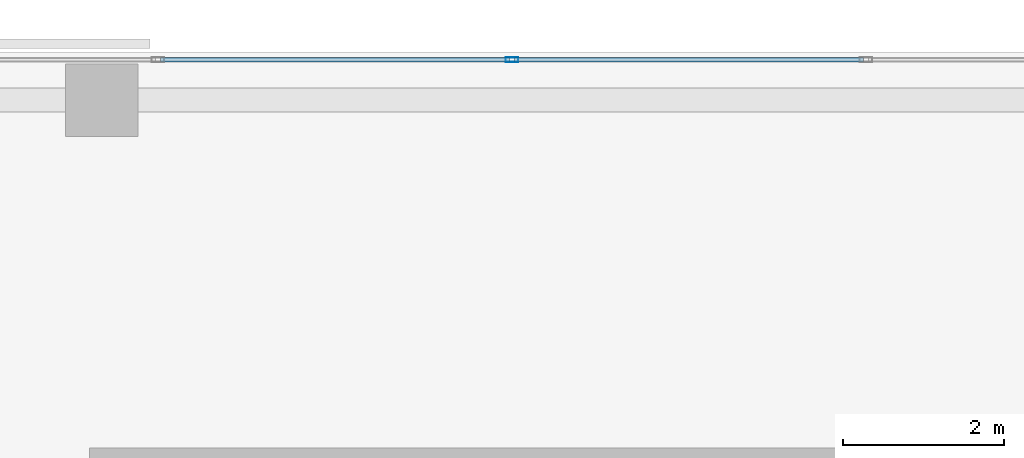
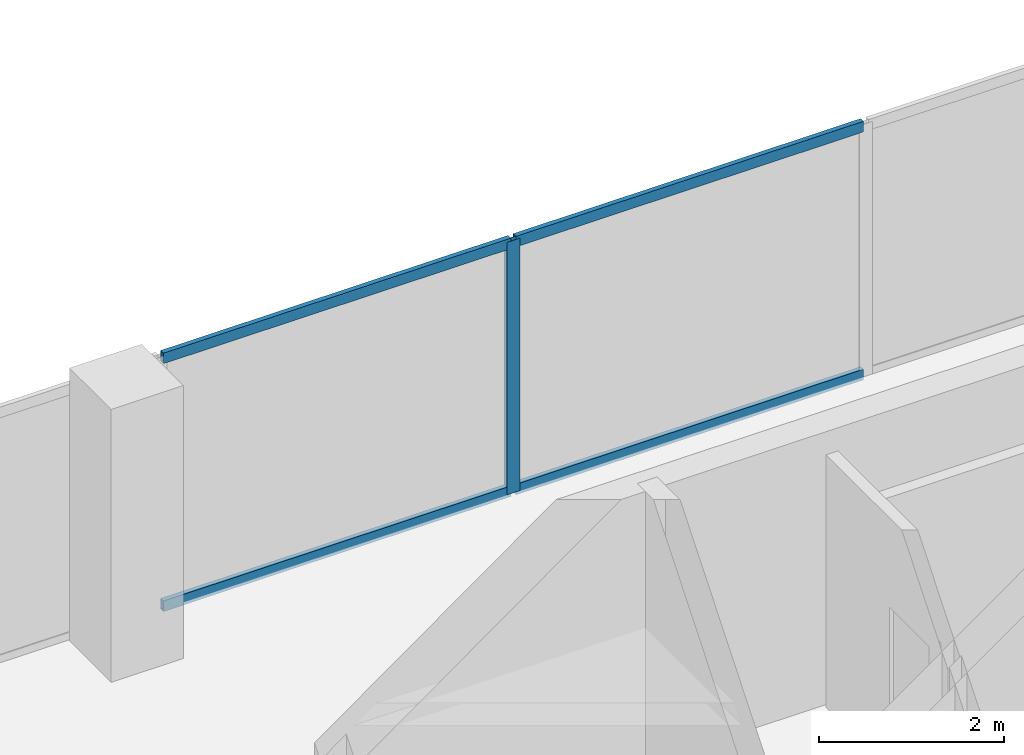
# One storey, part 20 of 34: 5 members, 1 element without a shape of its own.
"""IFC4 building model written with IfcOpenShell, lengths in metres."""

from ifc_helpers import new_model, si_unit, direction, frame, origin, origin_2d, place, context, subcontext, project, spatial, hollow_rectangle, extrude, material, layer, layer_set, material_profile, profile_set, type_object, element, aggregate, save


model = new_model("IFC4")

# Units and contexts
model_context = context("Model", 3, precision=1e-05, world=origin(), true_north=direction((0.0, 1.0)))
body_context = subcontext(model_context, "Body", "Model", "MODEL_VIEW")
ifc_project = project(units=[si_unit("LENGTHUNIT", "METRE"), si_unit("AREAUNIT", "SQUARE_METRE"), si_unit("VOLUMEUNIT", "CUBIC_METRE"), si_unit("PLANEANGLEUNIT", "RADIAN"), si_unit("MASSUNIT", "GRAM", prefix="KILO")], contexts=[model_context])

# Site, building, storey
site_placement = place(None, origin())
site = spatial("IfcSite", under=ifc_project, at=site_placement, CompositionType="ELEMENT")
building_placement = place(site_placement, origin())
building = spatial("IfcBuilding", under=site, at=building_placement, Name="Catumbela Crestline Tower", CompositionType="ELEMENT")
storey_placement = place(building_placement, frame((0.0, 0.0, 97.2)))
storey = spatial("IfcBuildingStorey", under=building, at=storey_placement, Name="L24", CompositionType="ELEMENT", Elevation=97.2)

# Curtain wall, members
ifc_material = material(Name="Aluminium alloy AW-6060-T66", Category="aluminium")
ifc_layer = layer(ifc_material, 0.18, Name="Aluminium alloy AW-6060-T66")
ifc_layer_set = layer_set([ifc_layer], Name="Aluminium alloy AW-6060-T66")
curtain_wall_type = type_object("IfcCurtainWallType", Name="CWU-Z2", PredefinedType="USERDEFINED", material=ifc_layer_set)
curtain_wall_placement = place(storey_placement, origin())
curtain_wall = element("IfcCurtainWall", 1, at=curtain_wall_placement, inside=storey, type_object=curtain_wall_type, Name="L24 Unitised Curtain Wall CW-L24-E7S1", ObjectType="UNITISED", PredefinedType="USERDEFINED")
ifc_material_profile_1 = material_profile(ifc_material, hollow_rectangle(XDim=0.06, YDim=0.16, WallThickness=0.004, at=origin_2d()), Name="ALU 160x60x4")
ifc_profile_set_1 = profile_set([ifc_material_profile_1], Name="Aluminium alloy AW-6060-T66")
member_type_1 = type_object("IfcMemberType", Name="MUL-160X60", PredefinedType="MULLION", material=ifc_profile_set_1)
member_1_placement = place(storey_placement, frame((21.1, 47.9, 0.0), z_axis=(0.0, 0.0, 1.0), x_axis=(0.0, -1.0, 0.0)))
member_1 = element("IfcMember", 2, at=member_1_placement, type_object=member_type_1, Name="CWU-Z2 mullion 7", PredefinedType="MULLION", context=body_context, shape_type="SweptSolid", body=[
    extrude(hollow_rectangle(XDim=0.06, YDim=0.16, WallThickness=0.004, at=origin_2d()), origin(), (0.0, 0.0, 1.0), 3.33),
])
ifc_material_profile_2 = material_profile(ifc_material, hollow_rectangle(XDim=0.06, YDim=0.14, WallThickness=0.004, at=origin_2d()), Name="ALU 140x60x4")
ifc_profile_set_2 = profile_set([ifc_material_profile_2], Name="Aluminium alloy AW-6060-T66")
member_type_2 = type_object("IfcMemberType", Name="TRN-140X60", PredefinedType="USERDEFINED", material=ifc_profile_set_2)
member_2_placement = place(storey_placement, frame((25.4675, 47.9, 0.03), z_axis=(-1.0, 0.0, 0.0), x_axis=(0.0, -1.0, 0.0)))
member_2 = element("IfcMember", 3, at=member_2_placement, type_object=member_type_2, Name="CWU-Z2 transom 6.1", ObjectType="TRANSOM", PredefinedType="USERDEFINED", context=body_context, shape_type="SweptSolid", body=[
    extrude(hollow_rectangle(XDim=0.06, YDim=0.14, WallThickness=0.004, at=origin_2d()), origin(), (0.0, 0.0, 1.0), 4.335),
])
member_3_placement = place(storey_placement, frame((25.4675, 47.9, 3.3), z_axis=(-1.0, 0.0, 0.0), x_axis=(0.0, -1.0, 0.0)))
member_3 = element("IfcMember", 4, at=member_3_placement, type_object=member_type_2, Name="CWU-Z2 transom 6.2", ObjectType="TRANSOM", PredefinedType="USERDEFINED", context=body_context, shape_type="SweptSolid", body=[
    extrude(hollow_rectangle(XDim=0.06, YDim=0.14, WallThickness=0.004, at=origin_2d()), origin(), (0.0, 0.0, 1.0), 4.335),
])
member_4_placement = place(storey_placement, frame((21.0675, 47.9, 0.03), z_axis=(-1.0, 0.0, 0.0), x_axis=(0.0, -1.0, 0.0)))
member_4 = element("IfcMember", 5, at=member_4_placement, type_object=member_type_2, Name="CWU-Z2 transom 7.1", ObjectType="TRANSOM", PredefinedType="USERDEFINED", context=body_context, shape_type="SweptSolid", body=[
    extrude(hollow_rectangle(XDim=0.06, YDim=0.14, WallThickness=0.004, at=origin_2d()), origin(), (0.0, 0.0, 1.0), 4.335),
])
member_5_placement = place(storey_placement, frame((21.0675, 47.9, 3.3), z_axis=(-1.0, 0.0, 0.0), x_axis=(0.0, -1.0, 0.0)))
member_5 = element("IfcMember", 6, at=member_5_placement, type_object=member_type_2, Name="CWU-Z2 transom 7.2", ObjectType="TRANSOM", PredefinedType="USERDEFINED", context=body_context, shape_type="SweptSolid", body=[
    extrude(hollow_rectangle(XDim=0.06, YDim=0.14, WallThickness=0.004, at=origin_2d()), origin(), (0.0, 0.0, 1.0), 4.335),
])
aggregate(curtain_wall, [member_1, member_2, member_3, member_4, member_5])

save(model, "model.ifc")
